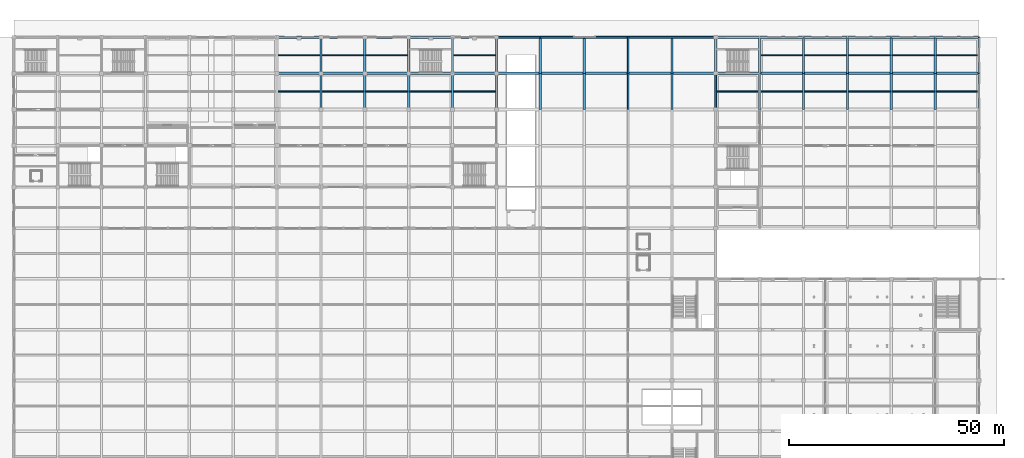
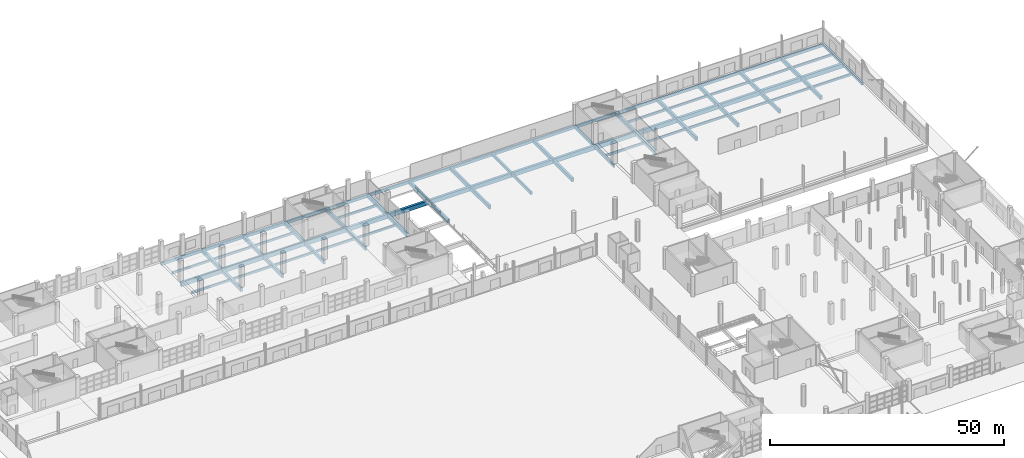
# One storey, part 71 of 124: 84 beams.
"""IFC4 building model written with IfcOpenShell, lengths in metres."""

from ifc_helpers import new_model, si_unit, direction, frame, origin, origin_2d, place, context, subcontext, project, spatial, rectangle, extrude, material, material_profile, profile_set, type_object, element, save


model = new_model("IFC4")

# Units and contexts
model_context = context("Model", 3, precision=1e-05, world=origin(), true_north=direction((0.0, 1.0)))
body_context = subcontext(model_context, "Body", "Model", "MODEL_VIEW")
ifc_project = project(units=[si_unit("LENGTHUNIT", "METRE"), si_unit("AREAUNIT", "SQUARE_METRE"), si_unit("VOLUMEUNIT", "CUBIC_METRE"), si_unit("PLANEANGLEUNIT", "RADIAN"), si_unit("MASSUNIT", "GRAM", prefix="KILO")], contexts=[model_context])

# Site, building, storey
site_placement = place(None, origin())
site = spatial("IfcSite", under=ifc_project, at=site_placement, CompositionType="ELEMENT")
building_placement = place(site_placement, origin())
building = spatial("IfcBuilding", under=site, at=building_placement, Name="Brelvane Convention Centre", CompositionType="ELEMENT")
storey_placement = place(building_placement, origin())
storey = spatial("IfcBuildingStorey", under=building, at=storey_placement, Name="L00", CompositionType="ELEMENT", Elevation=0.0)

# Beams
ifc_material_1 = material(Name="Concrete M50", Category="concrete")
ifc_material_profile_1 = material_profile(ifc_material_1, rectangle(XDim=0.60009765625, YDim=1.10009765625, at=origin_2d()), Name="RC 600x1100")
ifc_profile_set_1 = profile_set([ifc_material_profile_1], Name="Concrete M50")
beam_type_1 = type_object("IfcBeamType", Name="RC Beam B-RC2 (RC 600x1100)", PredefinedType="BEAM", material=ifc_profile_set_1)
beam_1_placement = place(storey_placement, frame((61.199951171875, 135.60009765625, -0.97998046875), z_axis=(1.0, 0.0, 0.0), x_axis=(0.0, 1.0, 0.0)))
element("IfcBeam", 1, at=beam_1_placement, inside=storey, type_object=beam_type_1, Name="L00 Beam 7-8/P", PredefinedType="BEAM", context=body_context, shape_type="SweptSolid", body=[
    extrude(rectangle(XDim=0.60009765625, YDim=1.10009765625, at=origin_2d()), origin(), (0.0, 0.0, 1.0), 10.199951171875),
])
beam_2_placement = place(storey_placement, frame((71.39990234375, 135.60009765625, -0.97998046875), z_axis=(1.0, 0.0, 0.0), x_axis=(0.0, 1.0, 0.0)))
element("IfcBeam", 2, at=beam_2_placement, inside=storey, type_object=beam_type_1, Name="L00 Beam 8-9/P", PredefinedType="BEAM", context=body_context, shape_type="SweptSolid", body=[
    extrude(rectangle(XDim=0.60009765625, YDim=1.10009765625, at=origin_2d()), origin(), (0.0, 0.0, 1.0), 10.2001953125),
])
for number, where, z_axis, x_axis, name in (
    (3, (81.60009765625, 135.60009765625, -0.97998046875), (1.0, 0.0, 0.0), (0.0, 1.0, 0.0), "L00 Beam 9-10/P"),
    (4, (91.800048828125, 135.60009765625, -0.97998046875), (1.0, 0.0, 0.0), (0.0, 1.0, 0.0), "L00 Beam 10-11/P"),
    (5, (102.0, 135.60009765625, -0.97998046875), (1.0, 0.0, 0.0), (0.0, 1.0, 0.0), "L00 Beam 11-12/P"),
    (6, (112.199951171875, 135.60009765625, -0.949951171875), (1.0, 0.0, 0.0), (0.0, 1.0, 0.0), "L00 Beam 12-13/P"),
):
    element("IfcBeam", number, at=place(storey_placement, frame(where, z_axis=z_axis, x_axis=x_axis)), inside=storey, type_object=beam_type_1, Name=name, PredefinedType="BEAM", context=body_context, shape_type="SweptSolid", body=[
        extrude(rectangle(XDim=0.60009765625, YDim=1.10009765625, at=origin_2d()), origin(), (0.0, 0.0, 1.0), 10.199951171875),
    ])
beam_3_placement = place(storey_placement, frame((122.39990234375, 135.60009765625, -0.949951171875), z_axis=(1.0, 0.0, 0.0), x_axis=(0.0, 1.0, 0.0)))
element("IfcBeam", 7, at=beam_3_placement, inside=storey, type_object=beam_type_1, Name="L00 Beam 13-14/P", PredefinedType="BEAM", context=body_context, shape_type="SweptSolid", body=[
    extrude(rectangle(XDim=0.60009765625, YDim=1.10009765625, at=origin_2d()), origin(), (0.0, 0.0, 1.0), 10.2001953125),
])
for number, where, z_axis, x_axis, name in (
    (8, (132.60009765625, 135.60009765625, -0.949951171875), (1.0, 0.0, 0.0), (0.0, 1.0, 0.0), "L00 Beam 14-15/P"),
    (9, (142.800048828125, 135.60009765625, -0.949951171875), (1.0, 0.0, 0.0), (0.0, 1.0, 0.0), "L00 Beam 15-16/P"),
    (10, (153.0, 135.60009765625, -0.949951171875), (1.0, 0.0, 0.0), (0.0, 1.0, 0.0), "L00 Beam 16-17/P"),
    (11, (163.199951171875, 135.60009765625, -0.9951171875), (1.0, 0.0, 0.0), (0.0, 1.0, 0.0), "L00 Beam 17-18/P"),
):
    element("IfcBeam", number, at=place(storey_placement, frame(where, z_axis=z_axis, x_axis=x_axis)), inside=storey, type_object=beam_type_1, Name=name, PredefinedType="BEAM", context=body_context, shape_type="SweptSolid", body=[
        extrude(rectangle(XDim=0.60009765625, YDim=1.10009765625, at=origin_2d()), origin(), (0.0, 0.0, 1.0), 10.199951171875),
    ])
beam_4_placement = place(storey_placement, frame((173.39990234375, 135.60009765625, -0.9951171875), z_axis=(1.0, 0.0, 0.0), x_axis=(0.0, 1.0, 0.0)))
element("IfcBeam", 12, at=beam_4_placement, inside=storey, type_object=beam_type_1, Name="L00 Beam 18-19/P", PredefinedType="BEAM", context=body_context, shape_type="SweptSolid", body=[
    extrude(rectangle(XDim=0.60009765625, YDim=1.10009765625, at=origin_2d()), origin(), (0.0, 0.0, 1.0), 10.2001953125),
])
for number, where, z_axis, x_axis, name in (
    (13, (183.60009765625, 135.60009765625, -0.9951171875), (1.0, 0.0, 0.0), (0.0, 1.0, 0.0), "L00 Beam 19-20/P"),
    (14, (193.800048828125, 135.60009765625, -0.9951171875), (1.0, 0.0, 0.0), (0.0, 1.0, 0.0), "L00 Beam 20-21/P"),
    (15, (204.0, 135.60009765625, -0.9951171875), (1.0, 0.0, 0.0), (0.0, 1.0, 0.0), "L00 Beam 21-22/P"),
    (16, (214.199951171875, 135.60009765625, -0.9951171875), (1.0, 0.0, 0.0), (0.0, 1.0, 0.0), "L00 Beam 22-23/P"),
):
    element("IfcBeam", number, at=place(storey_placement, frame(where, z_axis=z_axis, x_axis=x_axis)), inside=storey, type_object=beam_type_1, Name=name, PredefinedType="BEAM", context=body_context, shape_type="SweptSolid", body=[
        extrude(rectangle(XDim=0.60009765625, YDim=1.10009765625, at=origin_2d()), origin(), (0.0, 0.0, 1.0), 10.199951171875),
    ])
ifc_material_2 = material(Name="Concrete M50", Category="concrete")
ifc_material_profile_2 = material_profile(ifc_material_2, rectangle(XDim=0.52001953125, YDim=0.949951171875, at=origin_2d()), Name="RC 520x950")
ifc_profile_set_2 = profile_set([ifc_material_profile_2], Name="Concrete M50")
beam_type_2 = type_object("IfcBeamType", Name="RC Beam B-RC9 (RC 520x950)", PredefinedType="BEAM", material=ifc_profile_set_2)
beam_5_placement = place(storey_placement, frame((71.39990234375, 127.199951171875, -0.905029296875), z_axis=(0.0, 1.0, 0.0), x_axis=(-1.0, 0.0, 0.0)))
element("IfcBeam", 17, at=beam_5_placement, inside=storey, type_object=beam_type_2, Name="L00 Girder 8/N-P", PredefinedType="BEAM", context=body_context, shape_type="SweptSolid", body=[
    extrude(rectangle(XDim=0.52001953125, YDim=0.949951171875, at=origin_2d()), origin(), (0.0, 0.0, 1.0), 8.400146484375),
])
beam_6_placement = place(storey_placement, frame((71.39990234375, 135.60009765625, -0.905029296875), z_axis=(0.0, 1.0, 0.0), x_axis=(-1.0, 0.0, 0.0)))
element("IfcBeam", 18, at=beam_6_placement, inside=storey, type_object=beam_type_2, Name="L00 Girder 8/P-Q", PredefinedType="BEAM", context=body_context, shape_type="SweptSolid", body=[
    extrude(rectangle(XDim=0.52001953125, YDim=0.949951171875, at=origin_2d()), origin(), (0.0, 0.0, 1.0), 8.39990234375),
])
beam_7_placement = place(storey_placement, frame((81.60009765625, 127.199951171875, -0.905029296875), z_axis=(0.0, 1.0, 0.0), x_axis=(-1.0, 0.0, 0.0)))
element("IfcBeam", 19, at=beam_7_placement, inside=storey, type_object=beam_type_2, Name="L00 Girder 9/N-P", PredefinedType="BEAM", context=body_context, shape_type="SweptSolid", body=[
    extrude(rectangle(XDim=0.52001953125, YDim=0.949951171875, at=origin_2d()), origin(), (0.0, 0.0, 1.0), 8.400146484375),
])
beam_8_placement = place(storey_placement, frame((81.60009765625, 135.60009765625, -0.905029296875), z_axis=(0.0, 1.0, 0.0), x_axis=(-1.0, 0.0, 0.0)))
element("IfcBeam", 20, at=beam_8_placement, inside=storey, type_object=beam_type_2, Name="L00 Girder 9/P-Q", PredefinedType="BEAM", context=body_context, shape_type="SweptSolid", body=[
    extrude(rectangle(XDim=0.52001953125, YDim=0.949951171875, at=origin_2d()), origin(), (0.0, 0.0, 1.0), 8.39990234375),
])
beam_9_placement = place(storey_placement, frame((91.800048828125, 127.199951171875, -0.905029296875), z_axis=(0.0, 1.0, 0.0), x_axis=(-1.0, 0.0, 0.0)))
element("IfcBeam", 21, at=beam_9_placement, inside=storey, type_object=beam_type_2, Name="L00 Girder 10/N-P", PredefinedType="BEAM", context=body_context, shape_type="SweptSolid", body=[
    extrude(rectangle(XDim=0.52001953125, YDim=0.949951171875, at=origin_2d()), origin(), (0.0, 0.0, 1.0), 8.400146484375),
])
beam_10_placement = place(storey_placement, frame((91.800048828125, 135.60009765625, -0.905029296875), z_axis=(0.0, 1.0, 0.0), x_axis=(-1.0, 0.0, 0.0)))
element("IfcBeam", 22, at=beam_10_placement, inside=storey, type_object=beam_type_2, Name="L00 Girder 10/P-Q", PredefinedType="BEAM", context=body_context, shape_type="SweptSolid", body=[
    extrude(rectangle(XDim=0.52001953125, YDim=0.949951171875, at=origin_2d()), origin(), (0.0, 0.0, 1.0), 8.39990234375),
])
beam_11_placement = place(storey_placement, frame((102.0, 127.199951171875, -0.905029296875), z_axis=(0.0, 1.0, 0.0), x_axis=(-1.0, 0.0, 0.0)))
element("IfcBeam", 23, at=beam_11_placement, inside=storey, type_object=beam_type_2, Name="L00 Girder 11/N-P", PredefinedType="BEAM", context=body_context, shape_type="SweptSolid", body=[
    extrude(rectangle(XDim=0.52001953125, YDim=0.949951171875, at=origin_2d()), origin(), (0.0, 0.0, 1.0), 8.400146484375),
])
beam_12_placement = place(storey_placement, frame((102.0, 135.60009765625, -0.905029296875), z_axis=(0.0, 1.0, 0.0), x_axis=(-1.0, 0.0, 0.0)))
element("IfcBeam", 24, at=beam_12_placement, inside=storey, type_object=beam_type_2, Name="L00 Girder 11/P-Q", PredefinedType="BEAM", context=body_context, shape_type="SweptSolid", body=[
    extrude(rectangle(XDim=0.52001953125, YDim=0.949951171875, at=origin_2d()), origin(), (0.0, 0.0, 1.0), 8.39990234375),
])
beam_13_placement = place(storey_placement, frame((112.199951171875, 127.199951171875, -0.905029296875), z_axis=(0.0, 1.0, 0.0), x_axis=(-1.0, 0.0, 0.0)))
element("IfcBeam", 25, at=beam_13_placement, inside=storey, type_object=beam_type_2, Name="L00 Girder 12/N-P", PredefinedType="BEAM", context=body_context, shape_type="SweptSolid", body=[
    extrude(rectangle(XDim=0.52001953125, YDim=0.949951171875, at=origin_2d()), origin(), (0.0, 0.0, 1.0), 8.400146484375),
])
beam_14_placement = place(storey_placement, frame((112.199951171875, 135.60009765625, -0.905029296875), z_axis=(0.0, 1.0, 0.0), x_axis=(-1.0, 0.0, 0.0)))
element("IfcBeam", 26, at=beam_14_placement, inside=storey, type_object=beam_type_2, Name="L00 Girder 12/P-Q", PredefinedType="BEAM", context=body_context, shape_type="SweptSolid", body=[
    extrude(rectangle(XDim=0.52001953125, YDim=0.949951171875, at=origin_2d()), origin(), (0.0, 0.0, 1.0), 8.39990234375),
])
beam_15_placement = place(storey_placement, frame((122.39990234375, 127.199951171875, -0.875), z_axis=(0.0, 1.0, 0.0), x_axis=(-1.0, 0.0, 0.0)))
element("IfcBeam", 27, at=beam_15_placement, inside=storey, type_object=beam_type_2, Name="L00 Girder 13/N-P", PredefinedType="BEAM", context=body_context, shape_type="SweptSolid", body=[
    extrude(rectangle(XDim=0.52001953125, YDim=0.949951171875, at=origin_2d()), origin(), (0.0, 0.0, 1.0), 8.400146484375),
])
beam_16_placement = place(storey_placement, frame((122.39990234375, 135.60009765625, -0.875), z_axis=(0.0, 1.0, 0.0), x_axis=(-1.0, 0.0, 0.0)))
element("IfcBeam", 28, at=beam_16_placement, inside=storey, type_object=beam_type_2, Name="L00 Girder 13/P-Q", PredefinedType="BEAM", context=body_context, shape_type="SweptSolid", body=[
    extrude(rectangle(XDim=0.52001953125, YDim=0.949951171875, at=origin_2d()), origin(), (0.0, 0.0, 1.0), 8.39990234375),
])
beam_17_placement = place(storey_placement, frame((132.60009765625, 127.199951171875, -0.875), z_axis=(0.0, 1.0, 0.0), x_axis=(-1.0, 0.0, 0.0)))
element("IfcBeam", 29, at=beam_17_placement, inside=storey, type_object=beam_type_2, Name="L00 Girder 14/N-P", PredefinedType="BEAM", context=body_context, shape_type="SweptSolid", body=[
    extrude(rectangle(XDim=0.52001953125, YDim=0.949951171875, at=origin_2d()), origin(), (0.0, 0.0, 1.0), 8.400146484375),
])
beam_18_placement = place(storey_placement, frame((132.60009765625, 135.60009765625, -0.875), z_axis=(0.0, 1.0, 0.0), x_axis=(-1.0, 0.0, 0.0)))
element("IfcBeam", 30, at=beam_18_placement, inside=storey, type_object=beam_type_2, Name="L00 Girder 14/P-Q", PredefinedType="BEAM", context=body_context, shape_type="SweptSolid", body=[
    extrude(rectangle(XDim=0.52001953125, YDim=0.949951171875, at=origin_2d()), origin(), (0.0, 0.0, 1.0), 8.39990234375),
])
beam_19_placement = place(storey_placement, frame((153.0, 127.199951171875, -0.875), z_axis=(0.0, 1.0, 0.0), x_axis=(-1.0, 0.0, 0.0)))
element("IfcBeam", 31, at=beam_19_placement, inside=storey, type_object=beam_type_2, Name="L00 Girder 16/N-P", PredefinedType="BEAM", context=body_context, shape_type="SweptSolid", body=[
    extrude(rectangle(XDim=0.52001953125, YDim=0.949951171875, at=origin_2d()), origin(), (0.0, 0.0, 1.0), 8.400146484375),
])
beam_20_placement = place(storey_placement, frame((153.0, 135.60009765625, -0.875), z_axis=(0.0, 1.0, 0.0), x_axis=(-1.0, 0.0, 0.0)))
element("IfcBeam", 32, at=beam_20_placement, inside=storey, type_object=beam_type_2, Name="L00 Girder 16/P-Q", PredefinedType="BEAM", context=body_context, shape_type="SweptSolid", body=[
    extrude(rectangle(XDim=0.52001953125, YDim=0.949951171875, at=origin_2d()), origin(), (0.0, 0.0, 1.0), 8.39990234375),
])
beam_21_placement = place(storey_placement, frame((173.39990234375, 127.199951171875, -0.919921875), z_axis=(0.0, 1.0, 0.0), x_axis=(-1.0, 0.0, 0.0)))
element("IfcBeam", 33, at=beam_21_placement, inside=storey, type_object=beam_type_2, Name="L00 Girder 18/N-P", PredefinedType="BEAM", context=body_context, shape_type="SweptSolid", body=[
    extrude(rectangle(XDim=0.52001953125, YDim=0.949951171875, at=origin_2d()), origin(), (0.0, 0.0, 1.0), 8.400146484375),
])
beam_22_placement = place(storey_placement, frame((173.39990234375, 135.60009765625, -0.919921875), z_axis=(0.0, 1.0, 0.0), x_axis=(-1.0, 0.0, 0.0)))
element("IfcBeam", 34, at=beam_22_placement, inside=storey, type_object=beam_type_2, Name="L00 Girder 18/P-Q", PredefinedType="BEAM", context=body_context, shape_type="SweptSolid", body=[
    extrude(rectangle(XDim=0.52001953125, YDim=0.949951171875, at=origin_2d()), origin(), (0.0, 0.0, 1.0), 8.39990234375),
])
beam_23_placement = place(storey_placement, frame((183.60009765625, 127.199951171875, -0.919921875), z_axis=(0.0, 1.0, 0.0), x_axis=(-1.0, 0.0, 0.0)))
element("IfcBeam", 35, at=beam_23_placement, inside=storey, type_object=beam_type_2, Name="L00 Girder 19/N-P", PredefinedType="BEAM", context=body_context, shape_type="SweptSolid", body=[
    extrude(rectangle(XDim=0.52001953125, YDim=0.949951171875, at=origin_2d()), origin(), (0.0, 0.0, 1.0), 8.400146484375),
])
beam_24_placement = place(storey_placement, frame((183.60009765625, 135.60009765625, -0.919921875), z_axis=(0.0, 1.0, 0.0), x_axis=(-1.0, 0.0, 0.0)))
element("IfcBeam", 36, at=beam_24_placement, inside=storey, type_object=beam_type_2, Name="L00 Girder 19/P-Q", PredefinedType="BEAM", context=body_context, shape_type="SweptSolid", body=[
    extrude(rectangle(XDim=0.52001953125, YDim=0.949951171875, at=origin_2d()), origin(), (0.0, 0.0, 1.0), 8.39990234375),
])
beam_25_placement = place(storey_placement, frame((193.800048828125, 127.199951171875, -0.919921875), z_axis=(0.0, 1.0, 0.0), x_axis=(-1.0, 0.0, 0.0)))
element("IfcBeam", 37, at=beam_25_placement, inside=storey, type_object=beam_type_2, Name="L00 Girder 20/N-P", PredefinedType="BEAM", context=body_context, shape_type="SweptSolid", body=[
    extrude(rectangle(XDim=0.52001953125, YDim=0.949951171875, at=origin_2d()), origin(), (0.0, 0.0, 1.0), 8.400146484375),
])
beam_26_placement = place(storey_placement, frame((193.800048828125, 135.60009765625, -0.919921875), z_axis=(0.0, 1.0, 0.0), x_axis=(-1.0, 0.0, 0.0)))
element("IfcBeam", 38, at=beam_26_placement, inside=storey, type_object=beam_type_2, Name="L00 Girder 20/P-Q", PredefinedType="BEAM", context=body_context, shape_type="SweptSolid", body=[
    extrude(rectangle(XDim=0.52001953125, YDim=0.949951171875, at=origin_2d()), origin(), (0.0, 0.0, 1.0), 8.39990234375),
])
beam_27_placement = place(storey_placement, frame((204.0, 127.199951171875, -0.919921875), z_axis=(0.0, 1.0, 0.0), x_axis=(-1.0, 0.0, 0.0)))
element("IfcBeam", 39, at=beam_27_placement, inside=storey, type_object=beam_type_2, Name="L00 Girder 21/N-P", PredefinedType="BEAM", context=body_context, shape_type="SweptSolid", body=[
    extrude(rectangle(XDim=0.52001953125, YDim=0.949951171875, at=origin_2d()), origin(), (0.0, 0.0, 1.0), 8.400146484375),
])
beam_28_placement = place(storey_placement, frame((204.0, 135.60009765625, -0.919921875), z_axis=(0.0, 1.0, 0.0), x_axis=(-1.0, 0.0, 0.0)))
element("IfcBeam", 40, at=beam_28_placement, inside=storey, type_object=beam_type_2, Name="L00 Girder 21/P-Q", PredefinedType="BEAM", context=body_context, shape_type="SweptSolid", body=[
    extrude(rectangle(XDim=0.52001953125, YDim=0.949951171875, at=origin_2d()), origin(), (0.0, 0.0, 1.0), 8.39990234375),
])
beam_29_placement = place(storey_placement, frame((214.199951171875, 127.199951171875, -0.919921875), z_axis=(0.0, 1.0, 0.0), x_axis=(-1.0, 0.0, 0.0)))
element("IfcBeam", 41, at=beam_29_placement, inside=storey, type_object=beam_type_2, Name="L00 Girder 22/N-P", PredefinedType="BEAM", context=body_context, shape_type="SweptSolid", body=[
    extrude(rectangle(XDim=0.52001953125, YDim=0.949951171875, at=origin_2d()), origin(), (0.0, 0.0, 1.0), 8.400146484375),
])
beam_30_placement = place(storey_placement, frame((214.199951171875, 135.60009765625, -0.919921875), z_axis=(0.0, 1.0, 0.0), x_axis=(-1.0, 0.0, 0.0)))
element("IfcBeam", 42, at=beam_30_placement, inside=storey, type_object=beam_type_2, Name="L00 Girder 22/P-Q", PredefinedType="BEAM", context=body_context, shape_type="SweptSolid", body=[
    extrude(rectangle(XDim=0.52001953125, YDim=0.949951171875, at=origin_2d()), origin(), (0.0, 0.0, 1.0), 8.39990234375),
])
ifc_material_3 = material(Name="Concrete M40", Category="concrete")
ifc_material_profile_3 = material_profile(ifc_material_3, rectangle(XDim=0.320068359375, YDim=0.580078125, at=origin_2d()), Name="RC 320x580")
ifc_profile_set_3 = profile_set([ifc_material_profile_3], Name="Concrete M40")
beam_type_3 = type_object("IfcBeamType", Name="RC Joist J-RC3 (RC 320x580)", PredefinedType="JOIST", material=ifc_profile_set_3)
for number, where, z_axis, x_axis, name in (
    (43, (61.4599609375, 131.39990234375, -0.719970703125), (1.0, 0.0, 0.0), (0.0, 1.0, 0.0), "L00 Secondary Joist 7-8/NP"),
    (44, (61.4599609375, 139.800048828125, -0.719970703125), (1.0, 0.0, 0.0), (0.0, 1.0, 0.0), "L00 Secondary Joist 7-8/PQ"),
):
    element("IfcBeam", number, at=place(storey_placement, frame(where, z_axis=z_axis, x_axis=x_axis)), inside=storey, type_object=beam_type_3, Name=name, PredefinedType="JOIST", context=body_context, shape_type="SweptSolid", body=[
        extrude(rectangle(XDim=0.320068359375, YDim=0.580078125, at=origin_2d()), origin(), (0.0, 0.0, 1.0), 9.679931640625),
    ])
for number, where, z_axis, x_axis, name in (
    (45, (71.659912109375, 131.39990234375, -0.719970703125), (1.0, 0.0, 0.0), (0.0, 1.0, 0.0), "L00 Secondary Joist 8-9/NP"),
    (46, (71.659912109375, 139.800048828125, -0.719970703125), (1.0, 0.0, 0.0), (0.0, 1.0, 0.0), "L00 Secondary Joist 8-9/PQ"),
):
    element("IfcBeam", number, at=place(storey_placement, frame(where, z_axis=z_axis, x_axis=x_axis)), inside=storey, type_object=beam_type_3, Name=name, PredefinedType="JOIST", context=body_context, shape_type="SweptSolid", body=[
        extrude(rectangle(XDim=0.320068359375, YDim=0.580078125, at=origin_2d()), origin(), (0.0, 0.0, 1.0), 9.68017578125),
    ])
for number, where, z_axis, x_axis, name in (
    (47, (81.860107421875, 131.39990234375, -0.719970703125), (1.0, 0.0, 0.0), (0.0, 1.0, 0.0), "L00 Secondary Joist 9-10/NP"),
    (48, (81.860107421875, 139.800048828125, -0.719970703125), (1.0, 0.0, 0.0), (0.0, 1.0, 0.0), "L00 Secondary Joist 9-10/PQ"),
    (49, (92.06005859375, 131.39990234375, -0.719970703125), (1.0, 0.0, 0.0), (0.0, 1.0, 0.0), "L00 Secondary Joist 10-11/NP"),
    (50, (102.260009765625, 131.39990234375, -0.719970703125), (1.0, 0.0, 0.0), (0.0, 1.0, 0.0), "L00 Secondary Joist 11-12/NP"),
    (51, (102.260009765625, 139.800048828125, -0.719970703125), (1.0, 0.0, 0.0), (0.0, 1.0, 0.0), "L00 Secondary Joist 11-12/PQ"),
):
    element("IfcBeam", number, at=place(storey_placement, frame(where, z_axis=z_axis, x_axis=x_axis)), inside=storey, type_object=beam_type_3, Name=name, PredefinedType="JOIST", context=body_context, shape_type="SweptSolid", body=[
        extrude(rectangle(XDim=0.320068359375, YDim=0.580078125, at=origin_2d()), origin(), (0.0, 0.0, 1.0), 9.679931640625),
    ])
beam_31_placement = place(storey_placement, frame((163.39990234375, 131.39990234375, -0.735107421875), z_axis=(1.0, 0.0, 0.0), x_axis=(0.0, 1.0, 0.0)))
element("IfcBeam", 52, at=beam_31_placement, inside=storey, type_object=beam_type_3, Name="L00 Secondary Joist 17-18/NP", PredefinedType="JOIST", context=body_context, shape_type="SweptSolid", body=[
    extrude(rectangle(XDim=0.320068359375, YDim=0.580078125, at=origin_2d()), origin(), (0.0, 0.0, 1.0), 9.739990234375),
])
for number, where, z_axis, x_axis, name in (
    (53, (173.659912109375, 131.39990234375, -0.735107421875), (1.0, 0.0, 0.0), (0.0, 1.0, 0.0), "L00 Secondary Joist 18-19/NP"),
    (54, (173.659912109375, 139.800048828125, -0.735107421875), (1.0, 0.0, 0.0), (0.0, 1.0, 0.0), "L00 Secondary Joist 18-19/PQ"),
):
    element("IfcBeam", number, at=place(storey_placement, frame(where, z_axis=z_axis, x_axis=x_axis)), inside=storey, type_object=beam_type_3, Name=name, PredefinedType="JOIST", context=body_context, shape_type="SweptSolid", body=[
        extrude(rectangle(XDim=0.320068359375, YDim=0.580078125, at=origin_2d()), origin(), (0.0, 0.0, 1.0), 9.68017578125),
    ])
for number, where, z_axis, x_axis, name in (
    (55, (183.860107421875, 131.39990234375, -0.735107421875), (1.0, 0.0, 0.0), (0.0, 1.0, 0.0), "L00 Secondary Joist 19-20/NP"),
    (56, (183.860107421875, 139.800048828125, -0.735107421875), (1.0, 0.0, 0.0), (0.0, 1.0, 0.0), "L00 Secondary Joist 19-20/PQ"),
    (57, (194.06005859375, 131.39990234375, -0.735107421875), (1.0, 0.0, 0.0), (0.0, 1.0, 0.0), "L00 Secondary Joist 20-21/NP"),
    (58, (194.06005859375, 139.800048828125, -0.735107421875), (1.0, 0.0, 0.0), (0.0, 1.0, 0.0), "L00 Secondary Joist 20-21/PQ"),
    (59, (204.260009765625, 131.39990234375, -0.735107421875), (1.0, 0.0, 0.0), (0.0, 1.0, 0.0), "L00 Secondary Joist 21-22/NP"),
    (60, (204.260009765625, 139.800048828125, -0.735107421875), (1.0, 0.0, 0.0), (0.0, 1.0, 0.0), "L00 Secondary Joist 21-22/PQ"),
):
    element("IfcBeam", number, at=place(storey_placement, frame(where, z_axis=z_axis, x_axis=x_axis)), inside=storey, type_object=beam_type_3, Name=name, PredefinedType="JOIST", context=body_context, shape_type="SweptSolid", body=[
        extrude(rectangle(XDim=0.320068359375, YDim=0.580078125, at=origin_2d()), origin(), (0.0, 0.0, 1.0), 9.679931640625),
    ])
for number, where, z_axis, x_axis, name in (
    (61, (214.4599609375, 131.39990234375, -0.735107421875), (1.0, 0.0, 0.0), (0.0, 1.0, 0.0), "L00 Secondary Joist 22-23/NP"),
    (62, (214.4599609375, 139.800048828125, -0.735107421875), (1.0, 0.0, 0.0), (0.0, 1.0, 0.0), "L00 Secondary Joist 22-23/PQ"),
):
    element("IfcBeam", number, at=place(storey_placement, frame(where, z_axis=z_axis, x_axis=x_axis)), inside=storey, type_object=beam_type_3, Name=name, PredefinedType="JOIST", context=body_context, shape_type="SweptSolid", body=[
        extrude(rectangle(XDim=0.320068359375, YDim=0.580078125, at=origin_2d()), origin(), (0.0, 0.0, 1.0), 9.739990234375),
    ])
ifc_material_4 = material(Name="Concrete M40", Category="concrete")
ifc_material_profile_4 = material_profile(ifc_material_4, rectangle(XDim=0.39990234375, YDim=0.75, at=origin_2d()), Name="RC 400x750")
ifc_profile_set_4 = profile_set([ifc_material_profile_4], Name="Concrete M40")
beam_type_4 = type_object("IfcBeamType", Name="RC Spandrel SP-RC1 (RC 400x750)", PredefinedType="SPANDREL", material=ifc_profile_set_4)
beam_32_placement = place(storey_placement, frame((61.199951171875, 144.0, -0.804931640625), z_axis=(1.0, 0.0, 0.0), x_axis=(0.0, 1.0, 0.0)))
element("IfcBeam", 63, at=beam_32_placement, inside=storey, type_object=beam_type_4, Name="L00 Beam 7-8/Q", PredefinedType="SPANDREL", context=body_context, shape_type="SweptSolid", body=[
    extrude(rectangle(XDim=0.39990234375, YDim=0.75, at=origin_2d()), origin(), (0.0, 0.0, 1.0), 10.199951171875),
])
beam_33_placement = place(storey_placement, frame((71.39990234375, 144.0, -0.804931640625), z_axis=(1.0, 0.0, 0.0), x_axis=(0.0, 1.0, 0.0)))
element("IfcBeam", 64, at=beam_33_placement, inside=storey, type_object=beam_type_4, Name="L00 Beam 8-9/Q", PredefinedType="SPANDREL", context=body_context, shape_type="SweptSolid", body=[
    extrude(rectangle(XDim=0.39990234375, YDim=0.75, at=origin_2d()), origin(), (0.0, 0.0, 1.0), 10.2001953125),
])
for number, where, z_axis, x_axis, name in (
    (65, (81.60009765625, 144.0, -0.804931640625), (1.0, 0.0, 0.0), (0.0, 1.0, 0.0), "L00 Beam 9-10/Q"),
    (66, (91.800048828125, 144.0, -0.804931640625), (1.0, 0.0, 0.0), (0.0, 1.0, 0.0), "L00 Beam 10-11/Q"),
    (67, (102.0, 144.0, -0.804931640625), (1.0, 0.0, 0.0), (0.0, 1.0, 0.0), "L00 Beam 11-12/Q"),
    (68, (112.199951171875, 144.0, -0.77490234375), (1.0, 0.0, 0.0), (0.0, 1.0, 0.0), "L00 Beam 12-13/Q"),
):
    element("IfcBeam", number, at=place(storey_placement, frame(where, z_axis=z_axis, x_axis=x_axis)), inside=storey, type_object=beam_type_4, Name=name, PredefinedType="SPANDREL", context=body_context, shape_type="SweptSolid", body=[
        extrude(rectangle(XDim=0.39990234375, YDim=0.75, at=origin_2d()), origin(), (0.0, 0.0, 1.0), 10.199951171875),
    ])
beam_34_placement = place(storey_placement, frame((122.39990234375, 144.0, -0.77490234375), z_axis=(1.0, 0.0, 0.0), x_axis=(0.0, 1.0, 0.0)))
element("IfcBeam", 69, at=beam_34_placement, inside=storey, type_object=beam_type_4, Name="L00 Beam 13-14/Q", PredefinedType="SPANDREL", context=body_context, shape_type="SweptSolid", body=[
    extrude(rectangle(XDim=0.39990234375, YDim=0.75, at=origin_2d()), origin(), (0.0, 0.0, 1.0), 10.2001953125),
])
for number, where, z_axis, x_axis, name in (
    (70, (132.60009765625, 144.0, -0.77490234375), (1.0, 0.0, 0.0), (0.0, 1.0, 0.0), "L00 Beam 14-15/Q"),
    (71, (142.800048828125, 144.0, -0.77490234375), (1.0, 0.0, 0.0), (0.0, 1.0, 0.0), "L00 Beam 15-16/Q"),
    (72, (153.0, 144.0, -0.77490234375), (1.0, 0.0, 0.0), (0.0, 1.0, 0.0), "L00 Beam 16-17/Q"),
    (73, (163.199951171875, 144.0, -0.820068359375), (1.0, 0.0, 0.0), (0.0, 1.0, 0.0), "L00 Beam 17-18/Q"),
):
    element("IfcBeam", number, at=place(storey_placement, frame(where, z_axis=z_axis, x_axis=x_axis)), inside=storey, type_object=beam_type_4, Name=name, PredefinedType="SPANDREL", context=body_context, shape_type="SweptSolid", body=[
        extrude(rectangle(XDim=0.39990234375, YDim=0.75, at=origin_2d()), origin(), (0.0, 0.0, 1.0), 10.199951171875),
    ])
beam_35_placement = place(storey_placement, frame((173.39990234375, 144.0, -0.820068359375), z_axis=(1.0, 0.0, 0.0), x_axis=(0.0, 1.0, 0.0)))
element("IfcBeam", 74, at=beam_35_placement, inside=storey, type_object=beam_type_4, Name="L00 Beam 18-19/Q", PredefinedType="SPANDREL", context=body_context, shape_type="SweptSolid", body=[
    extrude(rectangle(XDim=0.39990234375, YDim=0.75, at=origin_2d()), origin(), (0.0, 0.0, 1.0), 10.2001953125),
])
for number, where, z_axis, x_axis, name in (
    (75, (183.60009765625, 144.0, -0.820068359375), (1.0, 0.0, 0.0), (0.0, 1.0, 0.0), "L00 Beam 19-20/Q"),
    (76, (193.800048828125, 144.0, -0.820068359375), (1.0, 0.0, 0.0), (0.0, 1.0, 0.0), "L00 Beam 20-21/Q"),
    (77, (204.0, 144.0, -0.820068359375), (1.0, 0.0, 0.0), (0.0, 1.0, 0.0), "L00 Beam 21-22/Q"),
    (78, (214.199951171875, 144.0, -0.820068359375), (1.0, 0.0, 0.0), (0.0, 1.0, 0.0), "L00 Beam 22-23/Q"),
):
    element("IfcBeam", number, at=place(storey_placement, frame(where, z_axis=z_axis, x_axis=x_axis)), inside=storey, type_object=beam_type_4, Name=name, PredefinedType="SPANDREL", context=body_context, shape_type="SweptSolid", body=[
        extrude(rectangle(XDim=0.39990234375, YDim=0.75, at=origin_2d()), origin(), (0.0, 0.0, 1.0), 10.199951171875),
    ])
beam_36_placement = place(storey_placement, frame((142.800048828125, 127.199951171875, -0.77490234375), z_axis=(0.0, 1.0, 0.0), x_axis=(-1.0, 0.0, 0.0)))
element("IfcBeam", 79, at=beam_36_placement, inside=storey, type_object=beam_type_4, Name="L00 Girder 15/N-P", PredefinedType="SPANDREL", context=body_context, shape_type="SweptSolid", body=[
    extrude(rectangle(XDim=0.39990234375, YDim=0.75, at=origin_2d()), origin(), (0.0, 0.0, 1.0), 8.400146484375),
])
beam_37_placement = place(storey_placement, frame((142.800048828125, 135.60009765625, -0.77490234375), z_axis=(0.0, 1.0, 0.0), x_axis=(-1.0, 0.0, 0.0)))
element("IfcBeam", 80, at=beam_37_placement, inside=storey, type_object=beam_type_4, Name="L00 Girder 15/P-Q", PredefinedType="SPANDREL", context=body_context, shape_type="SweptSolid", body=[
    extrude(rectangle(XDim=0.39990234375, YDim=0.75, at=origin_2d()), origin(), (0.0, 0.0, 1.0), 8.39990234375),
])
beam_38_placement = place(storey_placement, frame((163.199951171875, 127.199951171875, -0.820068359375), z_axis=(0.0, 1.0, 0.0), x_axis=(-1.0, 0.0, 0.0)))
element("IfcBeam", 81, at=beam_38_placement, inside=storey, type_object=beam_type_4, Name="L00 Girder 17/N-P", PredefinedType="SPANDREL", context=body_context, shape_type="SweptSolid", body=[
    extrude(rectangle(XDim=0.39990234375, YDim=0.75, at=origin_2d()), origin(), (0.0, 0.0, 1.0), 8.400146484375),
])
beam_39_placement = place(storey_placement, frame((163.199951171875, 135.60009765625, -0.820068359375), z_axis=(0.0, 1.0, 0.0), x_axis=(-1.0, 0.0, 0.0)))
element("IfcBeam", 82, at=beam_39_placement, inside=storey, type_object=beam_type_4, Name="L00 Girder 17/P-Q", PredefinedType="SPANDREL", context=body_context, shape_type="SweptSolid", body=[
    extrude(rectangle(XDim=0.39990234375, YDim=0.75, at=origin_2d()), origin(), (0.0, 0.0, 1.0), 8.39990234375),
])
beam_40_placement = place(storey_placement, frame((224.39990234375, 127.199951171875, -0.820068359375), z_axis=(0.0, 1.0, 0.0), x_axis=(-1.0, 0.0, 0.0)))
element("IfcBeam", 83, at=beam_40_placement, inside=storey, type_object=beam_type_4, Name="L00 Girder 23/N-P", PredefinedType="SPANDREL", context=body_context, shape_type="SweptSolid", body=[
    extrude(rectangle(XDim=0.39990234375, YDim=0.75, at=origin_2d()), origin(), (0.0, 0.0, 1.0), 8.400146484375),
])
beam_41_placement = place(storey_placement, frame((224.39990234375, 135.60009765625, -0.820068359375), z_axis=(0.0, 1.0, 0.0), x_axis=(-1.0, 0.0, 0.0)))
element("IfcBeam", 84, at=beam_41_placement, inside=storey, type_object=beam_type_4, Name="L00 Girder 23/P-Q", PredefinedType="SPANDREL", context=body_context, shape_type="SweptSolid", body=[
    extrude(rectangle(XDim=0.39990234375, YDim=0.75, at=origin_2d()), origin(), (0.0, 0.0, 1.0), 8.39990234375),
])

save(model, "model.ifc")
